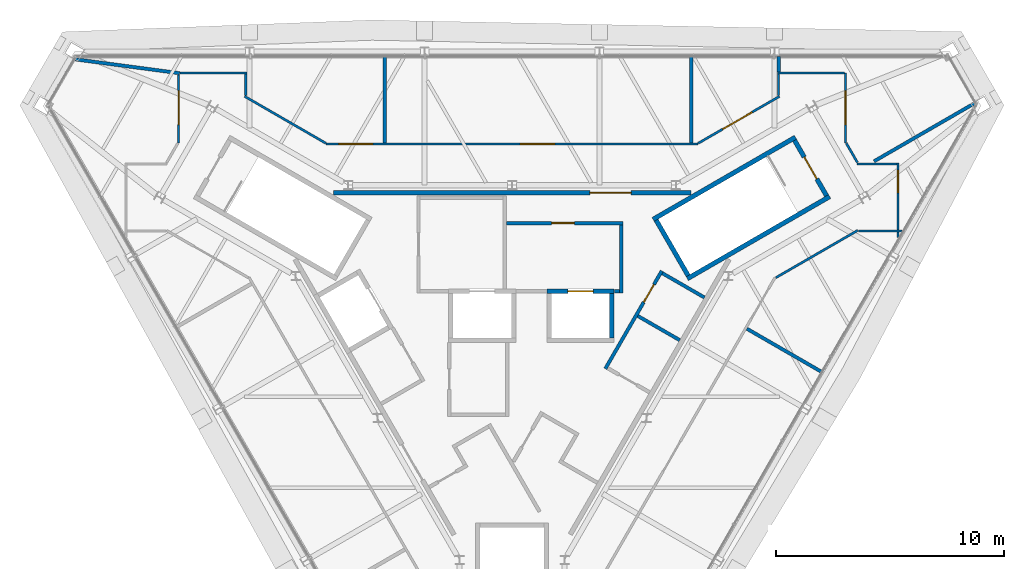
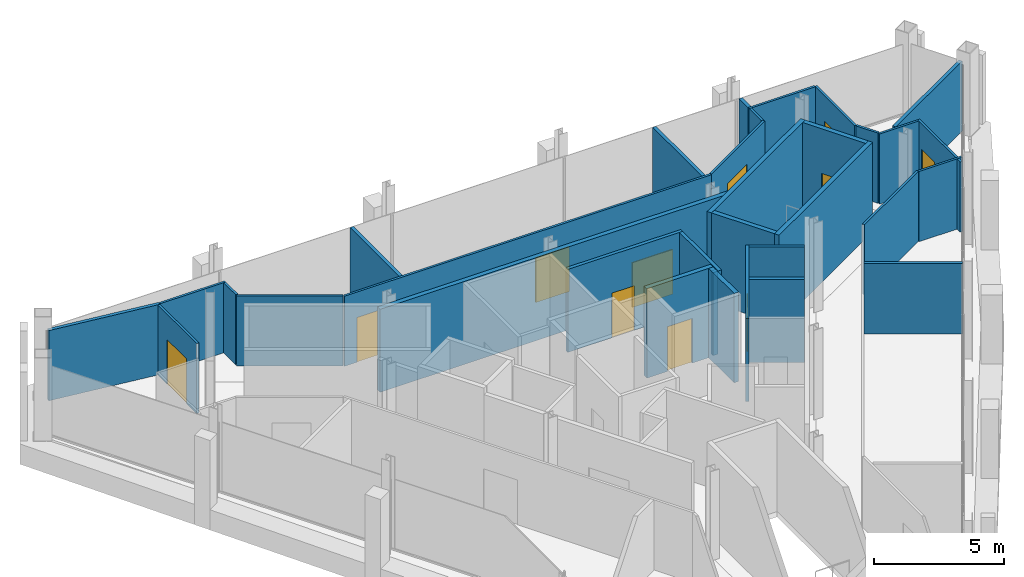
# One storey, part 10 of 11: 33 walls, 11 doors, 11 openings.
"""IFC4 building model written with IfcOpenShell, lengths in metres."""

from ifc_helpers import new_model, si_unit, direction, frame, frame_2d, origin, place, context, subcontext, project, spatial, rectangle, extrude, material, layer, layer_set, type_object, element, fill, save


model = new_model("IFC4")

# Units and contexts
model_context = context("Model", 3, precision=1e-05, world=origin(), true_north=direction((0.0, 1.0)))
body_context = subcontext(model_context, "Body", "Model", "MODEL_VIEW")
ifc_project = project(units=[si_unit("LENGTHUNIT", "METRE"), si_unit("AREAUNIT", "SQUARE_METRE"), si_unit("VOLUMEUNIT", "CUBIC_METRE"), si_unit("PLANEANGLEUNIT", "RADIAN"), si_unit("MASSUNIT", "GRAM", prefix="KILO")], contexts=[model_context])

# Site, building, storey
site_placement = place(None, origin())
site = spatial("IfcSite", under=ifc_project, at=site_placement, CompositionType="ELEMENT")
building_placement = place(site_placement, origin())
building = spatial("IfcBuilding", under=site, at=building_placement, Name="Verrane Prism Tower", CompositionType="ELEMENT")
storey_placement = place(building_placement, frame((0.0, 0.0, 329.39990234375)))
storey = spatial("IfcBuildingStorey", under=building, at=storey_placement, Name="L83", CompositionType="ELEMENT", Elevation=329.39990234375)

# Wall, opening, door
ifc_material_1 = material(Name="Gypsum board partition", Category="other")
ifc_layer_1 = layer(ifc_material_1, 0.199951171875)
ifc_layer_set_1 = layer_set([ifc_layer_1], Name="CW-200 core boundary wall 2 h")
wall_type_1 = type_object("IfcWallType", Name="CW-200 core boundary wall 2 h", PredefinedType="PARTITIONING", material=ifc_layer_set_1)
wall_1_placement = place(storey_placement, frame((7.8291015625, 6.4599609375, 0.0), z_axis=(0.0, 0.0, 1.0), x_axis=(-1.0, 0.0, 0.0)))
wall_1 = element("IfcWall", 1, at=wall_1_placement, inside=storey, type_object=wall_type_1, Name="Core boundary wall CW3-002", PredefinedType="PARTITIONING", context=body_context, shape_type="SweptSolid", body=[
    extrude(rectangle(XDim=15.658203125, YDim=0.199951171875, at=frame_2d((7.8291015625, 0.0))), origin(), (0.0, 0.0, 1.0), 3.900146484375),
])
opening_1_placement = place(wall_1_placement, frame((2.617919921875, 0.0, 0.0)))
opening_1 = element("IfcOpeningElement", 2, at=opening_1_placement, cuts=wall_1, Name="Opening D83506", PredefinedType="OPENING", context=body_context, shape_type="SweptSolid", body=[
    extrude(rectangle(XDim=1.800048828125, YDim=2.10009765625, at=frame_2d((0.89990234375, 1.050048828125))), frame((0.0, 0.10986328125, 0.0), z_axis=(0.0, -1.0, 0.0), x_axis=(1.0, 0.0, 0.0)), (0.0, 0.0, 1.0), 0.219970703125),
])
ifc_material_2 = material(Name="Timber veneered door leaf", Category="wood")
door_type_1 = type_object("IfcDoorType", Name="DR-1800x2100 FD60 double leaf lift lobby", OperationType="NOTDEFINED", PredefinedType="DOOR", material=ifc_material_2)
door_1_placement = place(opening_1_placement, origin())
door_1 = element("IfcDoor", 3, at=door_1_placement, inside=storey, type_object=door_type_1, Name="Lift lobby door D83506", OperationType="DOUBLE_DOOR_SINGLE_SWING", OverallHeight=2.10009765625, OverallWidth=1.800048828125, PredefinedType="DOOR", context=body_context, shape_type="SweptSolid", body=[
    extrude(rectangle(XDim=1.800048828125, YDim=2.10009765625, at=frame_2d((0.89990234375, 1.050048828125))), frame((0.0, 0.02490234375, 0.0), z_axis=(0.0, -1.0, 0.0), x_axis=(1.0, 0.0, 0.0)), (0.0, 0.0, 1.0), 0.050048828125),
])
fill(opening_1, door_1)

ifc_material_3 = material(Name="Concrete C40/50", Category="concrete")
ifc_layer_2 = layer(ifc_material_3, 0.199951171875)
ifc_layer_set_2 = layer_set([ifc_layer_2], Name="CW-200 stair core wall concrete C40/50 3 h")
wall_type_2 = type_object("IfcWallType", Name="CW-200 stair core wall concrete C40/50 3 h", PredefinedType="PARTITIONING", material=ifc_layer_set_2)
wall_2_placement = place(storey_placement, frame((13.777099609375, 6.337646484375, 0.0), z_axis=(0.0, 0.0, 1.0), x_axis=(-0.500049511043, 0.865996816683, 0.0)))
wall_2 = element("IfcWall", 4, at=wall_2_placement, inside=storey, type_object=wall_type_2, Name="Stair 1 enclosure wall", PredefinedType="PARTITIONING", context=body_context, shape_type="SweptSolid", body=[
    extrude(rectangle(XDim=2.800048828125, YDim=0.199951171875, at=frame_2d((1.39990234375, 0.0))), origin(), (0.0, 0.0, 1.0), 4.2001953125),
])
opening_2_placement = place(wall_2_placement, frame((0.849853515625, 0.0, 0.0)))
opening_2 = element("IfcOpeningElement", 5, at=opening_2_placement, cuts=wall_2, Name="Opening D83500", PredefinedType="OPENING", context=body_context, shape_type="SweptSolid", body=[
    extrude(rectangle(XDim=1.10009765625, YDim=2.10009765625, at=frame_2d((0.550048828125, 1.050048828125))), frame((0.0, 0.10986328125, 0.0), z_axis=(0.0, -1.0, 0.0), x_axis=(1.0, 0.0, 0.0)), (0.0, 0.0, 1.0), 0.219970703125),
])
ifc_material_4 = material(Name="Timber veneered door leaf", Category="wood")
door_type_2 = type_object("IfcDoorType", Name="DR-1100x2100 FD90 single leaf stair", OperationType="NOTDEFINED", PredefinedType="DOOR", material=ifc_material_4)
door_2_placement = place(opening_2_placement, origin())
door_2 = element("IfcDoor", 6, at=door_2_placement, inside=storey, type_object=door_type_2, Name="Stair 1 door", OperationType="SINGLE_SWING_LEFT", OverallHeight=2.10009765625, OverallWidth=1.10009765625, PredefinedType="DOOR", context=body_context, shape_type="SweptSolid", body=[
    extrude(rectangle(XDim=1.10009765625, YDim=2.10009765625, at=frame_2d((0.550048828125, 1.050048828125))), frame((0.0, 0.02490234375, 0.0), z_axis=(0.0, -1.0, 0.0), x_axis=(1.0, 0.0, 0.0)), (0.0, 0.0, 1.0), 0.050048828125),
])
fill(opening_2, door_2)

# Walls
for number, where, z_axis, x_axis, name in (
    (7, (6.17822265625, 5.299072265625, 0.0), (0.0, 0.0, 1.0), (0.866033125095, 0.499986626058, 0.0), "Stair 1 enclosure wall"),
    (8, (7.67822265625, 2.700927734375, 0.0), (0.0, 0.0, 1.0), (0.866018442252, 0.500012057535, 0.0), "Stair 1 enclosure wall"),
):
    element("IfcWall", number, at=place(storey_placement, frame(where, z_axis=z_axis, x_axis=x_axis)), inside=storey, type_object=wall_type_2, Name=name, PredefinedType="PARTITIONING", context=body_context, shape_type="SweptSolid", body=[
        extrude(rectangle(XDim=7.199951171875, YDim=0.199951171875, at=frame_2d((3.60009765625, 0.0))), origin(), (0.0, 0.0, 1.0), 4.2001953125),
    ])
wall_3_placement = place(storey_placement, frame((7.71484375, 2.837646484375, 0.0), z_axis=(0.0, 0.0, 1.0), x_axis=(-0.500049511043, 0.865996816683, 0.0)))
element("IfcWall", 9, at=wall_3_placement, inside=storey, type_object=wall_type_2, Name="Stair 1 enclosure wall", PredefinedType="PARTITIONING", context=body_context, shape_type="SweptSolid", body=[
    extrude(rectangle(XDim=2.800048828125, YDim=0.199951171875, at=frame_2d((1.39990234375, 0.0))), origin(), (0.0, 0.0, 1.0), 4.2001953125),
])

# Wall, opening, door
ifc_material_5 = material(Name="Gypsum board shaft wall assembly", Category="other")
ifc_layer_3 = layer(ifc_material_5, 0.199951171875)
ifc_layer_set_3 = layer_set([ifc_layer_3], Name="HW-200 lift shaft wall 2 h")
wall_type_3 = type_object("IfcWallType", Name="HW-200 lift shaft wall 2 h", PredefinedType="PARTITIONING", material=ifc_layer_set_3)
wall_4_placement = place(storey_placement, frame((1.52490234375, 2.14990234375, 0.0), z_axis=(0.0, 0.0, 1.0), x_axis=(1.0, 0.0, 0.0)))
wall_4 = element("IfcWall", 10, at=wall_4_placement, inside=storey, type_object=wall_type_3, Name="Lift shaft wall", PredefinedType="PARTITIONING", context=body_context, shape_type="SweptSolid", body=[
    extrude(rectangle(XDim=2.9501953125, YDim=0.199951171875, at=frame_2d((1.47509765625, 0.0))), origin(), (0.0, 0.0, 1.0), 4.2001953125),
])
opening_3_placement = place(wall_4_placement, frame((0.925048828125, 0.0, 0.0)))
opening_3 = element("IfcOpeningElement", 11, at=opening_3_placement, cuts=wall_4, Name="Opening D83504", PredefinedType="OPENING", context=body_context, shape_type="SweptSolid", body=[
    extrude(rectangle(XDim=1.10009765625, YDim=2.10009765625, at=frame_2d((0.550048828125, 1.050048828125))), frame((0.0, 0.10986328125, 0.0), z_axis=(0.0, -1.0, 0.0), x_axis=(1.0, 0.0, 0.0)), (0.0, 0.0, 1.0), 0.219970703125),
])
ifc_material_6 = material(Name="Stainless steel sliding landing door", Category="steel")
door_type_3 = type_object("IfcDoorType", Name="LD-1100x2100 lift landing door FD90 sliding", OperationType="NOTDEFINED", PredefinedType="DOOR", material=ifc_material_6)
door_3_placement = place(opening_3_placement, origin())
door_3 = element("IfcDoor", 12, at=door_3_placement, inside=storey, type_object=door_type_3, Name="Fire service lift 2 landing door", OperationType="SLIDING_TO_RIGHT", OverallHeight=2.10009765625, OverallWidth=1.10009765625, PredefinedType="DOOR", context=body_context, shape_type="SweptSolid", body=[
    extrude(rectangle(XDim=1.10009765625, YDim=2.10009765625, at=frame_2d((0.550048828125, 1.050048828125))), frame((0.0, 0.02490234375, 0.0), z_axis=(0.0, -1.0, 0.0), x_axis=(1.0, 0.0, 0.0)), (0.0, 0.0, 1.0), 0.050048828125),
])
fill(opening_3, door_3)

# Wall
wall_5_placement = place(storey_placement, frame((4.375, 0.10009765625, 0.0), z_axis=(0.0, 0.0, 1.0), x_axis=(0.0, 1.0, 0.0)))
element("IfcWall", 13, at=wall_5_placement, inside=storey, type_object=wall_type_3, Name="Lift shaft wall", PredefinedType="PARTITIONING", context=body_context, shape_type="SweptSolid", body=[
    extrude(rectangle(XDim=1.949951171875, YDim=0.199951171875, at=frame_2d((0.97509765625, 0.0))), origin(), (0.0, 0.0, 1.0), 4.2001953125),
])

# Wall, opening, door
ifc_material_7 = material(Name="Gypsum board partition", Category="other")
ifc_layer_4 = layer(ifc_material_7, 0.14990234375)
ifc_layer_set_4 = layer_set([ifc_layer_4], Name="LF-150 firefighting lobby wall 1 h")
wall_type_4 = type_object("IfcWallType", Name="LF-150 firefighting lobby wall 1 h", PredefinedType="PARTITIONING", material=ifc_layer_set_4)
wall_6_placement = place(storey_placement, frame((-0.2451171875, 5.139892578125, 0.0), z_axis=(0.0, 0.0, 1.0), x_axis=(1.0, 0.0, 0.0)))
wall_6 = element("IfcWall", 14, at=wall_6_placement, inside=storey, type_object=wall_type_4, Name="Firefighting lobby wall LF1-005", PredefinedType="PARTITIONING", context=body_context, shape_type="SweptSolid", body=[
    extrude(rectangle(XDim=5.110107421875, YDim=0.14990234375, at=frame_2d((2.55517578125, 0.0))), origin(), (0.0, 0.0, 1.0), 3.900146484375),
])
opening_4_placement = place(wall_6_placement, frame((1.97509765625, 0.0, 0.0)))
opening_4 = element("IfcOpeningElement", 15, at=opening_4_placement, cuts=wall_6, Name="Opening D83512", PredefinedType="OPENING", context=body_context, shape_type="SweptSolid", body=[
    extrude(rectangle(XDim=1.0, YDim=2.10009765625, at=frame_2d((0.5, 1.050048828125))), frame((0.0, 0.0849609375, 0.0), z_axis=(0.0, -1.0, 0.0), x_axis=(1.0, 0.0, 0.0)), (0.0, 0.0, 1.0), 0.169921875),
])
ifc_material_8 = material(Name="Timber veneered door leaf", Category="wood")
door_type_4 = type_object("IfcDoorType", Name="DR-1000x2100 FD60 single leaf firefighting lobby", OperationType="NOTDEFINED", PredefinedType="DOOR", material=ifc_material_8)
door_4_placement = place(opening_4_placement, origin())
door_4 = element("IfcDoor", 16, at=door_4_placement, inside=storey, type_object=door_type_4, Name="Firefighting lobby door D83512", OperationType="SINGLE_SWING_RIGHT", OverallHeight=2.10009765625, OverallWidth=1.0, PredefinedType="DOOR", context=body_context, shape_type="SweptSolid", body=[
    extrude(rectangle(XDim=1.0, YDim=2.10009765625, at=frame_2d((0.5, 1.050048828125))), frame((0.0, 0.02490234375, 0.0), z_axis=(0.0, -1.0, 0.0), x_axis=(1.0, 0.0, 0.0)), (0.0, 0.0, 1.0), 0.050048828125),
])
fill(opening_4, door_4)

# Walls
wall_7_placement = place(storey_placement, frame((4.47705078125, 2.159912109375, 0.0), z_axis=(0.0, 0.0, 1.0), x_axis=(1.0, 0.0, 0.0)))
element("IfcWall", 17, at=wall_7_placement, inside=storey, type_object=wall_type_4, Name="Firefighting lobby wall LF1-007", PredefinedType="PARTITIONING", context=body_context, shape_type="SweptSolid", body=[
    extrude(rectangle(XDim=0.238037109375, YDim=0.14990234375, at=frame_2d((0.119140625, 0.0))), origin(), (0.0, 0.0, 1.0), 3.900146484375),
])
wall_8_placement = place(storey_placement, frame((4.7900390625, 2.0849609375, 0.0), z_axis=(0.0, 0.0, 1.0), x_axis=(0.0, 1.0, 0.0)))
element("IfcWall", 18, at=wall_8_placement, inside=storey, type_object=wall_type_4, Name="Firefighting lobby wall LF1-008", PredefinedType="PARTITIONING", context=body_context, shape_type="SweptSolid", body=[
    extrude(rectangle(XDim=2.97998046875, YDim=0.14990234375, at=frame_2d((1.489990234375, 0.0))), origin(), (0.0, 0.0, 1.0), 3.900146484375),
])

# Wall, opening, door
ifc_material_9 = material(Name="Gypsum board partition", Category="other")
ifc_layer_5 = layer(ifc_material_9, 0.10009765625)
ifc_layer_set_5 = layer_set([ifc_layer_5], Name="PW-100 crown corridor wall 1 h")
wall_type_5 = type_object("IfcWallType", Name="PW-100 crown corridor wall 1 h", PredefinedType="PARTITIONING", material=ifc_layer_set_5)
wall_9_placement = place(storey_placement, frame((-14.60888671875, 8.64599609375, 0.0), z_axis=(0.0, 0.0, 1.0), x_axis=(0.0, 1.0, 0.0)))
wall_9 = element("IfcWall", 19, at=wall_9_placement, inside=storey, type_object=wall_type_5, Name="Corridor wall 007", PredefinedType="PARTITIONING", context=body_context, shape_type="SweptSolid", body=[
    extrude(rectangle(XDim=2.98291015625, YDim=0.10009765625, at=frame_2d((1.491455078125, 0.0))), origin(), (0.0, 0.0, 1.0), 3.297119140625),
])
opening_5_placement = place(wall_9_placement, frame((0.800048828125, 0.0, 0.0)))
opening_5 = element("IfcOpeningElement", 20, at=opening_5_placement, cuts=wall_9, Name="Opening D83004", PredefinedType="OPENING", context=body_context, shape_type="SweptSolid", body=[
    extrude(rectangle(XDim=1.5, YDim=2.10009765625, at=frame_2d((0.75, 1.050048828125))), frame((0.0, 0.06005859375, 0.0), z_axis=(0.0, -1.0, 0.0), x_axis=(1.0, 0.0, 0.0)), (0.0, 0.0, 1.0), 0.1201171875),
])
ifc_material_10 = material(Name="Timber veneered door leaf", Category="wood")
door_type_5 = type_object("IfcDoorType", Name="DR-1500x2100 FD60 double leaf unit", OperationType="NOTDEFINED", PredefinedType="DOOR", material=ifc_material_10)
door_5_placement = place(opening_5_placement, origin())
door_5 = element("IfcDoor", 21, at=door_5_placement, inside=storey, type_object=door_type_5, Name="Refuge Area door", OperationType="DOUBLE_DOOR_SINGLE_SWING", OverallHeight=2.10009765625, OverallWidth=1.5, PredefinedType="DOOR", context=body_context, shape_type="SweptSolid", body=[
    extrude(rectangle(XDim=1.5, YDim=2.10009765625, at=frame_2d((0.75, 1.050048828125))), frame((0.0, 0.02490234375, 0.0), z_axis=(0.0, -1.0, 0.0), x_axis=(1.0, 0.0, 0.0)), (0.0, 0.0, 1.0), 0.050048828125),
])
fill(opening_5, door_5)

# Walls
wall_10_placement = place(storey_placement, frame((-14.549072265625, 11.708984375, 0.0), z_axis=(0.0, 0.0, 1.0), x_axis=(1.0, 0.0, 0.0)))
element("IfcWall", 22, at=wall_10_placement, inside=storey, type_object=wall_type_5, Name="Corridor wall 008", PredefinedType="PARTITIONING", context=body_context, shape_type="SweptSolid", body=[
    extrude(rectangle(XDim=2.927978515625, YDim=0.10009765625, at=frame_2d((1.4638671875, 0.0))), origin(), (0.0, 0.0, 1.0), 3.297119140625),
])
wall_11_placement = place(storey_placement, frame((-11.6708984375, 10.73388671875, 0.0), z_axis=(0.0, 0.0, 1.0), x_axis=(0.0, 1.0, 0.0)))
element("IfcWall", 23, at=wall_11_placement, inside=storey, type_object=wall_type_5, Name="Corridor wall 010", PredefinedType="PARTITIONING", context=body_context, shape_type="SweptSolid", body=[
    extrude(rectangle(XDim=0.925048828125, YDim=0.10009765625, at=frame_2d((0.46240234375, 0.0))), origin(), (0.0, 0.0, 1.0), 3.297119140625),
])
wall_12_placement = place(storey_placement, frame((-11.71435546875, 10.68896484375, 0.0), z_axis=(0.0, 0.0, 1.0), x_axis=(0.866029215606, -0.499993397673, 0.0)))
element("IfcWall", 24, at=wall_12_placement, inside=storey, type_object=wall_type_5, Name="Corridor wall 011", PredefinedType="PARTITIONING", context=body_context, shape_type="SweptSolid", body=[
    extrude(rectangle(XDim=4.10791015625, YDim=0.10009765625, at=frame_2d((2.053955078125, 0.0))), origin(), (0.0, 0.0, 1.0), 3.297119140625),
])

# Wall, openings, doors
wall_13_placement = place(storey_placement, frame((-8.14599609375, 8.60009765625, 0.0), z_axis=(0.0, 0.0, 1.0), x_axis=(1.0, 0.0, 0.0)))
wall_13 = element("IfcWall", 25, at=wall_13_placement, inside=storey, type_object=wall_type_5, Name="Corridor wall 013", PredefinedType="PARTITIONING", context=body_context, shape_type="SweptSolid", body=[
    extrude(rectangle(XDim=16.2919921875, YDim=0.10009765625, at=frame_2d((8.14599609375, 0.0))), origin(), (0.0, 0.0, 1.0), 3.297119140625),
])
opening_6_placement = place(wall_13_placement, frame((8.510986328125, 0.0, 0.0)))
opening_6 = element("IfcOpeningElement", 26, at=opening_6_placement, cuts=wall_13, Name="Opening D83002", PredefinedType="OPENING", context=body_context, shape_type="SweptSolid", body=[
    extrude(rectangle(XDim=1.5, YDim=2.10009765625, at=frame_2d((0.75, 1.050048828125))), frame((0.0, 0.06005859375, 0.0), z_axis=(0.0, -1.0, 0.0), x_axis=(1.0, 0.0, 0.0)), (0.0, 0.0, 1.0), 0.1201171875),
])
opening_7_placement = place(wall_13_placement, frame((0.550048828125, 0.0, 0.0)))
opening_7 = element("IfcOpeningElement", 27, at=opening_7_placement, cuts=wall_13, Name="Opening D83003", PredefinedType="OPENING", context=body_context, shape_type="SweptSolid", body=[
    extrude(rectangle(XDim=1.5, YDim=2.10009765625, at=frame_2d((0.75, 1.050048828125))), frame((0.0, 0.06005859375, 0.0), z_axis=(0.0, -1.0, 0.0), x_axis=(1.0, 0.0, 0.0)), (0.0, 0.0, 1.0), 0.1201171875),
])
door_6_placement = place(opening_6_placement, origin())
door_6 = element("IfcDoor", 28, at=door_6_placement, inside=storey, type_object=door_type_5, Name="Mechanical Plant Room door", OperationType="DOUBLE_DOOR_SINGLE_SWING", OverallHeight=2.10009765625, OverallWidth=1.5, PredefinedType="DOOR", context=body_context, shape_type="SweptSolid", body=[
    extrude(rectangle(XDim=1.5, YDim=2.10009765625, at=frame_2d((0.75, 1.050048828125))), frame((0.0, 0.02490234375, 0.0), z_axis=(0.0, -1.0, 0.0), x_axis=(1.0, 0.0, 0.0)), (0.0, 0.0, 1.0), 0.050048828125),
])
fill(opening_6, door_6)
door_7_placement = place(opening_7_placement, origin())
door_7 = element("IfcDoor", 29, at=door_7_placement, inside=storey, type_object=door_type_5, Name="Mechanical Plant Room door", OperationType="DOUBLE_DOOR_SINGLE_SWING", OverallHeight=2.10009765625, OverallWidth=1.5, PredefinedType="DOOR", context=body_context, shape_type="SweptSolid", body=[
    extrude(rectangle(XDim=1.5, YDim=2.10009765625, at=frame_2d((0.75, 1.050048828125))), frame((0.0, 0.02490234375, 0.0), z_axis=(0.0, -1.0, 0.0), x_axis=(1.0, 0.0, 0.0)), (0.0, 0.0, 1.0), 0.050048828125),
])
fill(opening_7, door_7)

# Wall, opening, door
wall_14_placement = place(storey_placement, frame((8.15673828125, 8.635009765625, 0.0), z_axis=(0.0, 0.0, 1.0), x_axis=(0.866029215606, 0.499993397673, 0.0)))
wall_14 = element("IfcWall", 30, at=wall_14_placement, inside=storey, type_object=wall_type_5, Name="Corridor wall 023", PredefinedType="PARTITIONING", context=body_context, shape_type="SweptSolid", body=[
    extrude(rectangle(XDim=4.10791015625, YDim=0.10009765625, at=frame_2d((2.053955078125, 0.0))), origin(), (0.0, 0.0, 1.0), 3.297119140625),
])
opening_8_placement = place(wall_14_placement, frame((1.22998046875, 0.0, 0.0)))
opening_8 = element("IfcOpeningElement", 31, at=opening_8_placement, cuts=wall_14, Name="Opening D83010", PredefinedType="OPENING", context=body_context, shape_type="SweptSolid", body=[
    extrude(rectangle(XDim=1.5, YDim=2.10009765625, at=frame_2d((0.75, 1.050048828125))), frame((0.0, 0.06005859375, 0.0), z_axis=(0.0, -1.0, 0.0), x_axis=(1.0, 0.0, 0.0)), (0.0, 0.0, 1.0), 0.1201171875),
])
door_8_placement = place(opening_8_placement, origin())
door_8 = element("IfcDoor", 32, at=door_8_placement, inside=storey, type_object=door_type_5, Name="Mechanical Plant Room door", OperationType="DOUBLE_DOOR_SINGLE_SWING", OverallHeight=2.10009765625, OverallWidth=1.5, PredefinedType="DOOR", context=body_context, shape_type="SweptSolid", body=[
    extrude(rectangle(XDim=1.5, YDim=2.10009765625, at=frame_2d((0.75, 1.050048828125))), frame((0.0, 0.02490234375, 0.0), z_axis=(0.0, -1.0, 0.0), x_axis=(1.0, 0.0, 0.0)), (0.0, 0.0, 1.0), 0.050048828125),
])
fill(opening_8, door_8)

# Walls
wall_15_placement = place(storey_placement, frame((11.556640625, 2.74609375, 0.0), z_axis=(0.0, 0.0, 1.0), x_axis=(0.866005840187, 0.500033883614, 0.0)))
element("IfcWall", 33, at=wall_15_placement, inside=storey, type_object=wall_type_5, Name="Corridor wall 025", PredefinedType="PARTITIONING", context=body_context, shape_type="SweptSolid", body=[
    extrude(rectangle(XDim=4.139404296875, YDim=0.10009765625, at=frame_2d((2.06982421875, 0.0))), origin(), (0.0, 0.0, 1.0), 3.297119140625),
])
wall_16_placement = place(storey_placement, frame((11.6708984375, 10.73388671875, 0.0), z_axis=(0.0, 0.0, 1.0), x_axis=(0.0, 1.0, 0.0)))
element("IfcWall", 34, at=wall_16_placement, inside=storey, type_object=wall_type_5, Name="Corridor wall 026", PredefinedType="PARTITIONING", context=body_context, shape_type="SweptSolid", body=[
    extrude(rectangle(XDim=0.925048828125, YDim=0.10009765625, at=frame_2d((0.46240234375, 0.0))), origin(), (0.0, 0.0, 1.0), 3.297119140625),
])
wall_17_placement = place(storey_placement, frame((11.62109375, 11.708984375, 0.0), z_axis=(0.0, 0.0, 1.0), x_axis=(1.0, 0.0, 0.0)))
element("IfcWall", 35, at=wall_17_placement, inside=storey, type_object=wall_type_5, Name="Corridor wall 027", PredefinedType="PARTITIONING", context=body_context, shape_type="SweptSolid", body=[
    extrude(rectangle(XDim=2.93798828125, YDim=0.10009765625, at=frame_2d((1.468994140625, 0.0))), origin(), (0.0, 0.0, 1.0), 3.297119140625),
])

# Wall, opening, door
wall_18_placement = place(storey_placement, frame((14.60888671875, 11.708984375, 0.0), z_axis=(0.0, 0.0, 1.0), x_axis=(0.0, -1.0, 0.0)))
wall_18 = element("IfcWall", 36, at=wall_18_placement, inside=storey, type_object=wall_type_5, Name="Corridor wall 029", PredefinedType="PARTITIONING", context=body_context, shape_type="SweptSolid", body=[
    extrude(rectangle(XDim=3.06298828125, YDim=0.10009765625, at=frame_2d((1.531494140625, 0.0))), origin(), (0.0, 0.0, 1.0), 3.297119140625),
])
opening_9_placement = place(wall_18_placement, frame((0.762939453125, 0.0, 0.0)))
opening_9 = element("IfcOpeningElement", 37, at=opening_9_placement, cuts=wall_18, Name="Opening D83001", PredefinedType="OPENING", context=body_context, shape_type="SweptSolid", body=[
    extrude(rectangle(XDim=1.5, YDim=2.10009765625, at=frame_2d((0.75, 1.050048828125))), frame((0.0, 0.06005859375, 0.0), z_axis=(0.0, -1.0, 0.0), x_axis=(1.0, 0.0, 0.0)), (0.0, 0.0, 1.0), 0.1201171875),
])
door_9_placement = place(opening_9_placement, origin())
door_9 = element("IfcDoor", 38, at=door_9_placement, inside=storey, type_object=door_type_5, Name="Mechanical Plant Room door", OperationType="DOUBLE_DOOR_SINGLE_SWING", OverallHeight=2.10009765625, OverallWidth=1.5, PredefinedType="DOOR", context=body_context, shape_type="SweptSolid", body=[
    extrude(rectangle(XDim=1.5, YDim=2.10009765625, at=frame_2d((0.75, 1.050048828125))), frame((0.0, 0.02490234375, 0.0), z_axis=(0.0, -1.0, 0.0), x_axis=(1.0, 0.0, 0.0)), (0.0, 0.0, 1.0), 0.050048828125),
])
fill(opening_9, door_9)

# Walls
wall_19_placement = place(storey_placement, frame((14.64404296875, 8.63525390625, 0.0), z_axis=(0.0, 0.0, 1.0), x_axis=(0.499823463829, -0.866127303003, 0.0)))
element("IfcWall", 39, at=wall_19_placement, inside=storey, type_object=wall_type_5, Name="Corridor wall 030", PredefinedType="PARTITIONING", context=body_context, shape_type="SweptSolid", body=[
    extrude(rectangle(XDim=0.976318359375, YDim=0.10009765625, at=frame_2d((0.48828125, 0.0))), origin(), (0.0, 0.0, 1.0), 3.297119140625),
])
wall_20_placement = place(storey_placement, frame((15.16796875, 4.791015625, 0.0), z_axis=(0.0, 0.0, 1.0), x_axis=(1.0, 0.0, 0.0)))
element("IfcWall", 40, at=wall_20_placement, inside=storey, type_object=wall_type_5, Name="Corridor wall 031", PredefinedType="PARTITIONING", context=body_context, shape_type="SweptSolid", body=[
    extrude(rectangle(XDim=1.926025390625, YDim=0.10009765625, at=frame_2d((0.962890625, 0.0))), origin(), (0.0, 0.0, 1.0), 3.297119140625),
])
wall_21_placement = place(storey_placement, frame((15.116943359375, 7.72900390625, 0.0), z_axis=(0.0, 0.0, 1.0), x_axis=(1.0, 0.0, 0.0)))
element("IfcWall", 41, at=wall_21_placement, inside=storey, type_object=wall_type_5, Name="Corridor wall 032", PredefinedType="PARTITIONING", context=body_context, shape_type="SweptSolid", body=[
    extrude(rectangle(XDim=1.741943359375, YDim=0.10009765625, at=frame_2d((0.87109375, 0.0))), origin(), (0.0, 0.0, 1.0), 3.297119140625),
])

# Wall, opening, door
wall_22_placement = place(storey_placement, frame((16.908935546875, 7.779052734375, 0.0), z_axis=(0.0, 0.0, 1.0), x_axis=(0.0, -1.0, 0.0)))
wall_22 = element("IfcWall", 42, at=wall_22_placement, inside=storey, type_object=wall_type_5, Name="Corridor wall 034", PredefinedType="PARTITIONING", context=body_context, shape_type="SweptSolid", body=[
    extrude(rectangle(XDim=3.2724609375, YDim=0.10009765625, at=frame_2d((1.63623046875, 0.0))), origin(), (0.0, 0.0, 1.0), 3.297119140625),
])
opening_10_placement = place(wall_22_placement, frame((0.318115234375, 0.0, 0.0)))
opening_10 = element("IfcOpeningElement", 43, at=opening_10_placement, cuts=wall_22, Name="Opening D83014", PredefinedType="OPENING", context=body_context, shape_type="SweptSolid", body=[
    extrude(rectangle(XDim=1.0, YDim=2.10009765625, at=frame_2d((0.5, 1.050048828125))), frame((0.0, 0.06005859375, 0.0), z_axis=(0.0, -1.0, 0.0), x_axis=(1.0, 0.0, 0.0)), (0.0, 0.0, 1.0), 0.1201171875),
])
ifc_material_11 = material(Name="Timber veneered door leaf", Category="wood")
door_type_6 = type_object("IfcDoorType", Name="DR-1000x2100 FD60 single leaf unit", OperationType="NOTDEFINED", PredefinedType="DOOR", material=ifc_material_11)
door_10_placement = place(opening_10_placement, origin())
door_10 = element("IfcDoor", 44, at=door_10_placement, inside=storey, type_object=door_type_6, Name="Mechanical Plant Room door", OperationType="SINGLE_SWING_LEFT", OverallHeight=2.10009765625, OverallWidth=1.0, PredefinedType="DOOR", context=body_context, shape_type="SweptSolid", body=[
    extrude(rectangle(XDim=1.0, YDim=2.10009765625, at=frame_2d((0.5, 1.050048828125))), frame((0.0, 0.02490234375, 0.0), z_axis=(0.0, -1.0, 0.0), x_axis=(1.0, 0.0, 0.0)), (0.0, 0.0, 1.0), 0.050048828125),
])
fill(opening_10, door_10)

# Walls
ifc_material_12 = material(Name="Gypsum board partition", Category="other")
ifc_layer_6 = layer(ifc_material_12, 0.14990234375)
ifc_layer_set_6 = layer_set([ifc_layer_6], Name="PW-150 demising wall 1 h")
wall_type_6 = type_object("IfcWallType", Name="PW-150 demising wall 1 h", PredefinedType="PARTITIONING", material=ifc_layer_set_6)
wall_23_placement = place(storey_placement, frame((-19.142822265625, 12.3125, 0.0), z_axis=(0.0, 0.0, 1.0), x_axis=(0.991256927963, -0.131945832693, 0.0)))
element("IfcWall", 45, at=wall_23_placement, inside=storey, type_object=wall_type_6, Name="Demising wall 001", PredefinedType="PARTITIONING", context=body_context, shape_type="SweptSolid", body=[
    extrude(rectangle(XDim=4.6240234375, YDim=0.14990234375, at=frame_2d((2.31201171875, 0.0))), origin(), (0.0, 0.0, 1.0), 3.297119140625),
])
for number, where, z_axis, x_axis, name in (
    (46, (-5.5849609375, 8.64990234375, 0.0), (0.0, 0.0, 1.0), (0.0, 1.0, 0.0), "Demising wall 015"),
    (47, (7.85693359375, 8.64990234375, 0.0), (0.0, 0.0, 1.0), (0.0, 1.0, 0.0), "Demising wall 022"),
):
    element("IfcWall", number, at=place(storey_placement, frame(where, z_axis=z_axis, x_axis=x_axis)), inside=storey, type_object=wall_type_6, Name=name, PredefinedType="PARTITIONING", context=body_context, shape_type="SweptSolid", body=[
        extrude(rectangle(XDim=3.783203125, YDim=0.14990234375, at=frame_2d((1.8916015625, 0.0))), origin(), (0.0, 0.0, 1.0), 3.297119140625),
    ])
wall_24_placement = place(storey_placement, frame((10.28759765625, 0.509521484375, 0.0), z_axis=(0.0, 0.0, 1.0), x_axis=(0.865987581393, -0.500065504582, 0.0)))
element("IfcWall", 48, at=wall_24_placement, inside=storey, type_object=wall_type_6, Name="Demising wall 024", PredefinedType="PARTITIONING", context=body_context, shape_type="SweptSolid", body=[
    extrude(rectangle(XDim=3.7783203125, YDim=0.14990234375, at=frame_2d((1.88916015625, 0.0))), origin(), (0.0, 0.0, 1.0), 3.297119140625),
])
wall_25_placement = place(storey_placement, frame((11.69091796875, 11.759033203125, 0.0), z_axis=(0.0, 0.0, 1.0), x_axis=(0.0, 1.0, 0.0)))
element("IfcWall", 49, at=wall_25_placement, inside=storey, type_object=wall_type_6, Name="Demising wall 028", PredefinedType="PARTITIONING", context=body_context, shape_type="SweptSolid", body=[
    extrude(rectangle(XDim=0.674072265625, YDim=0.14990234375, at=frame_2d((0.3369140625, 0.0))), origin(), (0.0, 0.0, 1.0), 3.297119140625),
])
wall_26_placement = place(storey_placement, frame((15.85888671875, 7.843994140625, 0.0), z_axis=(0.0, 0.0, 1.0), x_axis=(0.865941920763, 0.500144568965, 0.0)))
element("IfcWall", 50, at=wall_26_placement, inside=storey, type_object=wall_type_6, Name="Demising wall 033", PredefinedType="PARTITIONING", context=body_context, shape_type="SweptSolid", body=[
    extrude(rectangle(XDim=5.1064453125, YDim=0.14990234375, at=frame_2d((2.55322265625, 0.0))), origin(), (0.0, 0.0, 1.0), 3.297119140625),
])

# Wall, opening, door
ifc_material_13 = material(Name="Gypsum board partition", Category="other")
ifc_layer_7 = layer(ifc_material_13, 0.14990234375)
ifc_layer_set_7 = layer_set([ifc_layer_7], Name="RS-150 riser enclosure wall 1 h")
wall_type_7 = type_object("IfcWallType", Name="RS-150 riser enclosure wall 1 h", PredefinedType="PARTITIONING", material=ifc_layer_set_7)
wall_27_placement = place(storey_placement, frame((6.560546875, 3.04296875, 0.0), z_axis=(0.0, 0.0, 1.0), x_axis=(-0.500011342071, -0.866018855338, 0.0)))
wall_27 = element("IfcWall", 51, at=wall_27_placement, inside=storey, type_object=wall_type_7, Name="Riser wall RS3-015", PredefinedType="PARTITIONING", context=body_context, shape_type="SweptSolid", body=[
    extrude(rectangle(XDim=4.9501953125, YDim=0.14990234375, at=frame_2d((2.47509765625, 0.0))), origin(), (0.0, 0.0, 1.0), 3.900146484375),
])
opening_11_placement = place(wall_27_placement, frame((0.68505859375, 0.0, 0.0)))
opening_11 = element("IfcOpeningElement", 52, at=opening_11_placement, cuts=wall_27, Name="Opening D83515", PredefinedType="OPENING", context=body_context, shape_type="SweptSolid", body=[
    extrude(rectangle(XDim=0.89990234375, YDim=2.10009765625, at=frame_2d((0.449951171875, 1.050048828125))), frame((0.0, 0.0849609375, 0.0), z_axis=(0.0, -1.0, 0.0), x_axis=(1.0, 0.0, 0.0)), (0.0, 0.0, 1.0), 0.169921875),
])
ifc_material_14 = material(Name="Timber veneered door leaf", Category="wood")
door_type_7 = type_object("IfcDoorType", Name="DR-900x2100 FD60 single leaf riser", OperationType="NOTDEFINED", PredefinedType="DOOR", material=ifc_material_14)
door_11_placement = place(opening_11_placement, origin())
door_11 = element("IfcDoor", 53, at=door_11_placement, inside=storey, type_object=door_type_7, Name="Riser door D83515", OperationType="SINGLE_SWING_RIGHT", OverallHeight=2.10009765625, OverallWidth=0.89990234375, PredefinedType="DOOR", context=body_context, shape_type="SweptSolid", body=[
    extrude(rectangle(XDim=0.89990234375, YDim=2.10009765625, at=frame_2d((0.449951171875, 1.050048828125))), frame((0.0, 0.02490234375, 0.0), z_axis=(0.0, -1.0, 0.0), x_axis=(1.0, 0.0, 0.0)), (0.0, 0.0, 1.0), 0.050048828125),
])
fill(opening_11, door_11)

# Walls
wall_28_placement = place(storey_placement, frame((5.508056640625, 1.069580078125, 0.0), z_axis=(0.0, 0.0, 1.0), x_axis=(0.86611284933, -0.499848509276, 0.0)))
element("IfcWall", 54, at=wall_28_placement, inside=storey, type_object=wall_type_7, Name="Riser wall RS3-016", PredefinedType="PARTITIONING", context=body_context, shape_type="SweptSolid", body=[
    extrude(rectangle(XDim=2.123779296875, YDim=0.14990234375, at=frame_2d((1.06201171875, 0.0))), origin(), (0.0, 0.0, 1.0), 3.900146484375),
])
wall_29_placement = place(storey_placement, frame((6.587890625, 2.9404296875, 0.0), z_axis=(0.0, 0.0, 1.0), x_axis=(0.8659425006, -0.500143565044, 0.0)))
element("IfcWall", 55, at=wall_29_placement, inside=storey, type_object=wall_type_7, Name="Riser wall RS3-017", PredefinedType="PARTITIONING", context=body_context, shape_type="SweptSolid", body=[
    extrude(rectangle(XDim=2.12451171875, YDim=0.14990234375, at=frame_2d((1.062255859375, 0.0))), origin(), (0.0, 0.0, 1.0), 3.900146484375),
])

save(model, "model.ifc")
